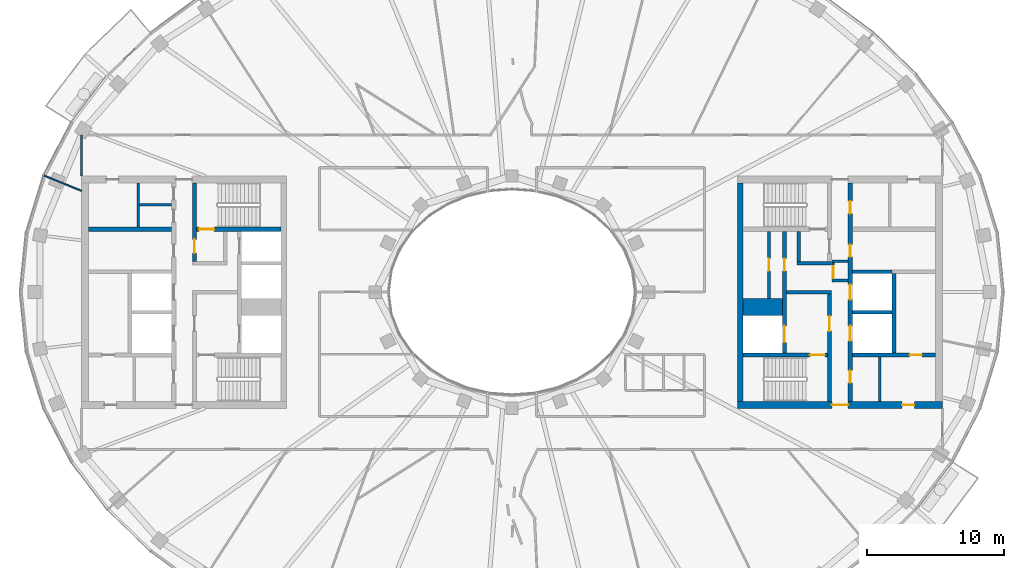
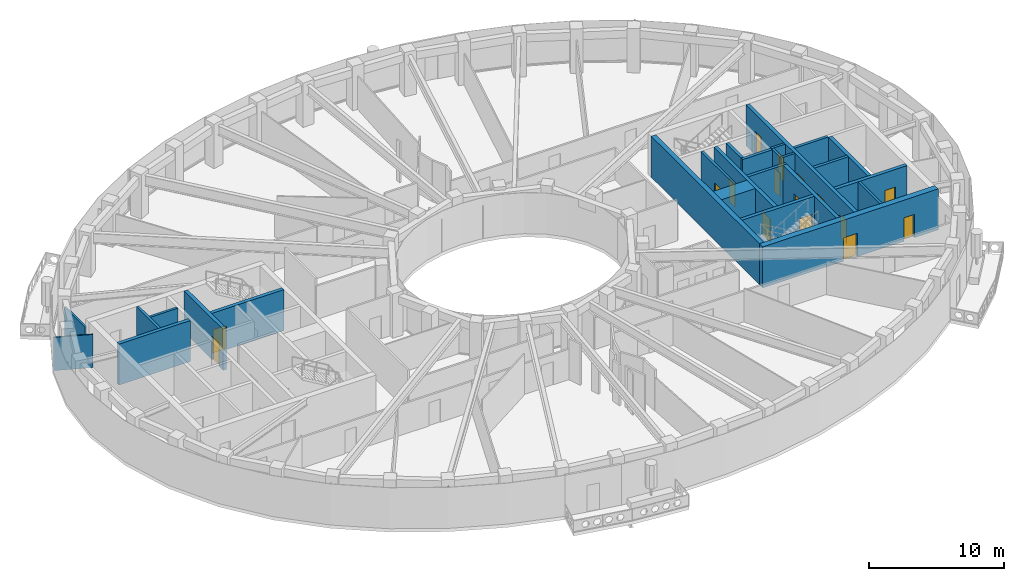
# One storey, part 5 of 16: 26 walls, 16 doors, 16 openings.
"""IFC4 building model written with IfcOpenShell, lengths in metres."""

from ifc_helpers import new_model, si_unit, direction, frame, frame_2d, origin, place, context, subcontext, project, spatial, rectangle, extrude, material, layer, layer_set, type_object, element, fill, save


model = new_model("IFC4")

# Units and contexts
model_context = context("Model", 3, precision=1e-05, world=origin(), true_north=direction((0.0, 1.0)))
body_context = subcontext(model_context, "Body", "Model", "MODEL_VIEW")
ifc_project = project(units=[si_unit("LENGTHUNIT", "METRE"), si_unit("AREAUNIT", "SQUARE_METRE"), si_unit("VOLUMEUNIT", "CUBIC_METRE"), si_unit("PLANEANGLEUNIT", "RADIAN"), si_unit("MASSUNIT", "GRAM", prefix="KILO")], contexts=[model_context])

# Site, building, storey
site_placement = place(None, origin())
site = spatial("IfcSite", under=ifc_project, at=site_placement, CompositionType="ELEMENT")
building_placement = place(site_placement, origin())
building = spatial("IfcBuilding", under=site, at=building_placement, Name="Noorbagh Ring Tower", CompositionType="ELEMENT")
storey_placement = place(building_placement, frame((0.0, 0.0, 315.0)))
storey = spatial("IfcBuildingStorey", under=building, at=storey_placement, Name="L68", CompositionType="ELEMENT", Elevation=315.0)

# Walls
ifc_material_1 = material(Name="Gypsum board on steel studs", Category="steel")
ifc_layer_1 = layer(ifc_material_1, 0.199951171875)
ifc_layer_set_1 = layer_set([ifc_layer_1], Name="Gypsum board on steel studs")
wall_type_1 = type_object("IfcWallType", Name="CORE-PARTITION-200", PredefinedType="PARTITIONING", material=ifc_layer_set_1)
wall_1_placement = place(storey_placement, frame((-27.35009765625, 4.75, 0.0), z_axis=(0.0, 0.0, 1.0), x_axis=(0.0, 1.0, 0.0)))
element("IfcWall", 1, at=wall_1_placement, inside=storey, type_object=wall_type_1, Name="Core partition W", PredefinedType="PARTITIONING", context=body_context, shape_type="SweptSolid", body=[
    extrude(rectangle(XDim=3.25, YDim=0.199951171875, at=frame_2d((1.625, 0.0))), origin(), (0.0, 0.0, 1.0), 3.699951171875),
])
wall_2_placement = place(storey_placement, frame((-24.89990234375, 6.39990234375, 0.0), z_axis=(0.0, 0.0, 1.0), x_axis=(-1.0, 0.0, 0.0)))
element("IfcWall", 2, at=wall_2_placement, inside=storey, type_object=wall_type_1, Name="Core partition W", PredefinedType="PARTITIONING", context=body_context, shape_type="SweptSolid", body=[
    extrude(rectangle(XDim=2.35009765625, YDim=0.199951171875, at=frame_2d((1.175048828125, 0.0))), origin(), (0.0, 0.0, 1.0), 3.699951171875),
])

# Wall, opening, door
wall_3_placement = place(storey_placement, frame((18.800048828125, -0.449951171875, 0.0), z_axis=(0.0, 0.0, 1.0), x_axis=(0.0, 1.0, 0.0)))
wall_3 = element("IfcWall", 3, at=wall_3_placement, inside=storey, type_object=wall_type_1, Name="Core partition E", PredefinedType="PARTITIONING", context=body_context, shape_type="SweptSolid", body=[
    extrude(rectangle(XDim=4.89990234375, YDim=0.199951171875, at=frame_2d((2.449951171875, 0.0))), origin(), (0.0, 0.0, 1.0), 3.699951171875),
])
opening_1_placement = place(wall_3_placement, frame((2.0, 0.0, 0.0)))
opening_1 = element("IfcOpeningElement", 4, at=opening_1_placement, cuts=wall_3, Name="Opening L68-CE11", PredefinedType="OPENING", context=body_context, shape_type="SweptSolid", body=[
    extrude(rectangle(XDim=0.89990234375, YDim=2.10009765625, at=frame_2d((0.449951171875, 1.050048828125))), frame((0.0, 0.10986328125, 0.0), z_axis=(0.0, -1.0, 0.0), x_axis=(1.0, 0.0, 0.0)), (0.0, 0.0, 1.0), 0.219970703125),
])
ifc_material_2 = material(Name="Steel door leaf", Category="steel")
door_type_1 = type_object("IfcDoorType", Name="CORE-DOOR-DROOM", OperationType="SINGLE_SWING_LEFT", PredefinedType="DOOR", material=ifc_material_2)
door_1_placement = place(opening_1_placement, origin())
door_1 = element("IfcDoor", 5, at=door_1_placement, inside=storey, type_object=door_type_1, Name="Core room door L68-CE11", OperationType="SINGLE_SWING_RIGHT", OverallHeight=2.10009765625, OverallWidth=0.89990234375, PredefinedType="DOOR", context=body_context, shape_type="SweptSolid", body=[
    extrude(rectangle(XDim=0.89990234375, YDim=2.10009765625, at=frame_2d((0.449951171875, 1.050048828125))), frame((0.0, 0.02490234375, 0.0), z_axis=(0.0, -1.0, 0.0), x_axis=(1.0, 0.0, 0.0)), (0.0, 0.0, 1.0), 0.050048828125),
])
fill(opening_1, door_1)

# Walls
for number, where, z_axis, x_axis, name in (
    (6, (23.39990234375, 0.85009765625, 0.0), (0.0, 0.0, 1.0), (1.0, 0.0, 0.0), "Core partition E"),
    (7, (23.39990234375, 2.25, 0.0), (0.0, 0.0, 1.0), (1.0, 0.0, 0.0), "Core partition E"),
):
    element("IfcWall", number, at=place(storey_placement, frame(where, z_axis=z_axis, x_axis=x_axis)), inside=storey, type_object=wall_type_1, Name=name, PredefinedType="PARTITIONING", context=body_context, shape_type="SweptSolid", body=[
        extrude(rectangle(XDim=1.2001953125, YDim=0.199951171875, at=frame_2d((0.60009765625, 0.0))), origin(), (0.0, 0.0, 1.0), 3.699951171875),
    ])

# Wall, opening, door
wall_4_placement = place(storey_placement, frame((23.5, 0.75, 0.0), z_axis=(0.0, 0.0, 1.0), x_axis=(0.0, 1.0, 0.0)))
wall_4 = element("IfcWall", 8, at=wall_4_placement, inside=storey, type_object=wall_type_1, Name="Core partition E", PredefinedType="PARTITIONING", context=body_context, shape_type="SweptSolid", body=[
    extrude(rectangle(XDim=1.60009765625, YDim=0.199951171875, at=frame_2d((0.800048828125, 0.0))), origin(), (0.0, 0.0, 1.0), 3.699951171875),
])
opening_2_placement = place(wall_4_placement, frame((0.25, 0.0, 0.0)))
opening_2 = element("IfcOpeningElement", 9, at=opening_2_placement, cuts=wall_4, Name="Opening L68-CE17", PredefinedType="OPENING", context=body_context, shape_type="SweptSolid", body=[
    extrude(rectangle(XDim=0.89990234375, YDim=2.10009765625, at=frame_2d((0.449951171875, 1.050048828125))), frame((0.0, 0.10986328125, 0.0), z_axis=(0.0, -1.0, 0.0), x_axis=(1.0, 0.0, 0.0)), (0.0, 0.0, 1.0), 0.219970703125),
])
door_2_placement = place(opening_2_placement, origin())
door_2 = element("IfcDoor", 10, at=door_2_placement, inside=storey, type_object=door_type_1, Name="Core room door L68-CE17", OperationType="SINGLE_SWING_LEFT", OverallHeight=2.10009765625, OverallWidth=0.89990234375, PredefinedType="DOOR", context=body_context, shape_type="SweptSolid", body=[
    extrude(rectangle(XDim=0.89990234375, YDim=2.10009765625, at=frame_2d((0.449951171875, 1.050048828125))), frame((0.0, 0.02490234375, 0.0), z_axis=(0.0, -1.0, 0.0), x_axis=(1.0, 0.0, 0.0)), (0.0, 0.0, 1.0), 0.050048828125),
])
fill(opening_2, door_2)

# Walls
wall_5_placement = place(storey_placement, frame((26.89990234375, -8.0, 0.0), z_axis=(0.0, 0.0, 1.0), x_axis=(0.0, 1.0, 0.0)))
element("IfcWall", 11, at=wall_5_placement, inside=storey, type_object=wall_type_1, Name="Core partition E", PredefinedType="PARTITIONING", context=body_context, shape_type="SweptSolid", body=[
    extrude(rectangle(XDim=3.25, YDim=0.199951171875, at=frame_2d((1.625, 0.0))), origin(), (0.0, 0.0, 1.0), 3.699951171875),
])
ifc_material_3 = material(Name="Concrete C50/60", Category="concrete")
ifc_layer_2 = layer(ifc_material_3, 1.25)
ifc_layer_set_2 = layer_set([ifc_layer_2], Name="Concrete C50/60")
wall_type_2 = type_object("IfcWallType", Name="CORE-WALL-1250-C50-60-EI120", PredefinedType="SHEAR", material=ifc_layer_set_2)
wall_6_placement = place(storey_placement, frame((16.89990234375, -1.074951171875, 0.0), z_axis=(0.0, 0.0, 1.0), x_axis=(1.0, 0.0, 0.0)))
element("IfcWall", 12, at=wall_6_placement, inside=storey, type_object=wall_type_2, Name="Core wall E", PredefinedType="SHEAR", context=body_context, shape_type="SweptSolid", body=[
    extrude(rectangle(XDim=2.900146484375, YDim=1.25, at=frame_2d((1.4501953125, 0.0))), origin(), (0.0, 0.0, 1.0), 3.699951171875),
])
ifc_material_4 = material(Name="Concrete C50/60", Category="concrete")
ifc_layer_3 = layer(ifc_material_4, 0.25)
ifc_layer_set_3 = layer_set([ifc_layer_3], Name="Concrete C50/60")
wall_type_3 = type_object("IfcWallType", Name="CORE-WALL-250-C50-60-EI120", PredefinedType="SHEAR", material=ifc_layer_set_3)
for number, where, z_axis, x_axis, name in (
    (13, (24.89990234375, -1.47509765625, 0.0), (0.0, 0.0, 1.0), (1.0, 0.0, 0.0), "Core wall E"),
    (14, (24.89990234375, 1.47509765625, 0.0), (0.0, 0.0, 1.0), (1.0, 0.0, 0.0), "Core wall E"),
):
    element("IfcWall", number, at=place(storey_placement, frame(where, z_axis=z_axis, x_axis=x_axis)), inside=storey, type_object=wall_type_3, Name=name, PredefinedType="SHEAR", context=body_context, shape_type="SweptSolid", body=[
        extrude(rectangle(XDim=2.900146484375, YDim=0.25, at=frame_2d((1.4501953125, 0.0))), origin(), (0.0, 0.0, 1.0), 3.699951171875),
    ])
ifc_material_5 = material(Name="Concrete C50/60", Category="concrete")
ifc_layer_4 = layer(ifc_material_5, 0.25)
ifc_layer_set_4 = layer_set([ifc_layer_4], Name="Concrete C50/60")
wall_type_4 = type_object("IfcWallType", Name="CORE-WALL-250-C50-60-EI240", PredefinedType="SHEAR", material=ifc_layer_set_4)
wall_7_placement = place(storey_placement, frame((20.10009765625, 0.0, 0.0), z_axis=(0.0, 0.0, 1.0), x_axis=(1.0, 0.0, 0.0)))
element("IfcWall", 15, at=wall_7_placement, inside=storey, type_object=wall_type_4, Name="Core wall E", PredefinedType="SHEAR", context=body_context, shape_type="SweptSolid", body=[
    extrude(rectangle(XDim=3.27978515625, YDim=0.25, at=frame_2d((1.639892578125, 0.0))), origin(), (0.0, 0.0, 1.0), 3.699951171875),
])
wall_8_placement = place(storey_placement, frame((20.85009765625, 2.125, 0.0), z_axis=(0.0, 0.0, 1.0), x_axis=(1.0, 0.0, 0.0)))
element("IfcWall", 16, at=wall_8_placement, inside=storey, type_object=wall_type_4, Name="Core wall E", PredefinedType="SHEAR", context=body_context, shape_type="SweptSolid", body=[
    extrude(rectangle(XDim=2.52978515625, YDim=0.25, at=frame_2d((1.264892578125, 0.0))), origin(), (0.0, 0.0, 1.0), 3.699951171875),
])
wall_9_placement = place(storey_placement, frame((20.97509765625, 2.25, 0.0), z_axis=(0.0, 0.0, 1.0), x_axis=(0.0, 1.0, 0.0)))
element("IfcWall", 17, at=wall_9_placement, inside=storey, type_object=wall_type_4, Name="Core wall E", PredefinedType="SHEAR", context=body_context, shape_type="SweptSolid", body=[
    extrude(rectangle(XDim=2.199951171875, YDim=0.25, at=frame_2d((1.10009765625, 0.0))), origin(), (0.0, 0.0, 1.0), 3.699951171875),
])
ifc_material_6 = material(Name="Concrete C50/60", Category="concrete")
ifc_layer_5 = layer(ifc_material_6, 0.300048828125)
ifc_layer_set_5 = layer_set([ifc_layer_5], Name="Concrete C50/60")
wall_type_5 = type_object("IfcWallType", Name="CORE-WALL-300-C50-60-EI120", PredefinedType="SHEAR", material=ifc_layer_set_5)
wall_10_placement = place(storey_placement, frame((27.949951171875, -4.449951171875, 0.0), z_axis=(0.0, 0.0, 1.0), x_axis=(0.0, 1.0, 0.0)))
element("IfcWall", 18, at=wall_10_placement, inside=storey, type_object=wall_type_5, Name="Core wall E", PredefinedType="SHEAR", context=body_context, shape_type="SweptSolid", body=[
    extrude(rectangle(XDim=5.800048828125, YDim=0.300048828125, at=frame_2d((2.89990234375, 0.0))), origin(), (0.0, 0.0, 1.0), 3.699951171875),
])

# Wall, openings, doors
wall_11_placement = place(storey_placement, frame((19.949951171875, -4.449951171875, 0.0), z_axis=(0.0, 0.0, 1.0), x_axis=(0.0, 1.0, 0.0)))
wall_11 = element("IfcWall", 19, at=wall_11_placement, inside=storey, type_object=wall_type_5, Name="Core wall E", PredefinedType="SHEAR", context=body_context, shape_type="SweptSolid", body=[
    extrude(rectangle(XDim=8.89990234375, YDim=0.300048828125, at=frame_2d((4.449951171875, 0.0))), origin(), (0.0, 0.0, 1.0), 3.699951171875),
])
opening_3_placement = place(wall_11_placement, frame((0.77490234375, 0.0, 0.0)))
opening_3 = element("IfcOpeningElement", 20, at=opening_3_placement, cuts=wall_11, Name="Opening L68-CE01", PredefinedType="OPENING", context=body_context, shape_type="SweptSolid", body=[
    extrude(rectangle(XDim=1.199951171875, YDim=2.10009765625, at=frame_2d((0.60009765625, 1.050048828125))), frame((0.0, 0.16015625, 0.0), z_axis=(0.0, -1.0, 0.0), x_axis=(1.0, 0.0, 0.0)), (0.0, 0.0, 1.0), 0.320068359375),
])
opening_4_placement = place(wall_11_placement, frame((6.0, 0.0, 0.0)))
opening_4 = element("IfcOpeningElement", 21, at=opening_4_placement, cuts=wall_11, Name="Opening L68-CE10", PredefinedType="OPENING", context=body_context, shape_type="SweptSolid", body=[
    extrude(rectangle(XDim=0.89990234375, YDim=2.10009765625, at=frame_2d((0.449951171875, 1.050048828125))), frame((0.0, 0.16015625, 0.0), z_axis=(0.0, -1.0, 0.0), x_axis=(1.0, 0.0, 0.0)), (0.0, 0.0, 1.0), 0.320068359375),
])
door_3_placement = place(opening_4_placement, origin())
door_3 = element("IfcDoor", 22, at=door_3_placement, inside=storey, type_object=door_type_1, Name="Core room door L68-CE10", OperationType="SINGLE_SWING_RIGHT", OverallHeight=2.10009765625, OverallWidth=0.89990234375, PredefinedType="DOOR", context=body_context, shape_type="SweptSolid", body=[
    extrude(rectangle(XDim=0.89990234375, YDim=2.10009765625, at=frame_2d((0.449951171875, 1.050048828125))), frame((0.0, 0.02490234375, 0.0), z_axis=(0.0, -1.0, 0.0), x_axis=(1.0, 0.0, 0.0)), (0.0, 0.0, 1.0), 0.050048828125),
])
fill(opening_4, door_3)
ifc_material_7 = material(Name="Steel door leaf", Category="steel")
door_type_2 = type_object("IfcDoorType", Name="CORE-DOOR-LDW", OperationType="DOUBLE_DOOR_SLIDING", PredefinedType="DOOR", material=ifc_material_7)
door_4_placement = place(opening_3_placement, origin())
door_4 = element("IfcDoor", 23, at=door_4_placement, inside=storey, type_object=door_type_2, Name="Landing door FF2 L68-CE01", OperationType="DOUBLE_DOOR_SLIDING", OverallHeight=2.10009765625, OverallWidth=1.199951171875, PredefinedType="DOOR", context=body_context, shape_type="SweptSolid", body=[
    extrude(rectangle(XDim=1.199951171875, YDim=2.10009765625, at=frame_2d((0.60009765625, 1.050048828125))), frame((0.0, 0.02490234375, 0.0), z_axis=(0.0, -1.0, 0.0), x_axis=(1.0, 0.0, 0.0)), (0.0, 0.0, 1.0), 0.050048828125),
])
fill(opening_3, door_4)

wall_12_placement = place(storey_placement, frame((24.75, -8.0, 0.0), z_axis=(0.0, 0.0, 1.0), x_axis=(0.0, 1.0, 0.0)))
wall_12 = element("IfcWall", 24, at=wall_12_placement, inside=storey, type_object=wall_type_5, Name="Core wall E", PredefinedType="SHEAR", context=body_context, shape_type="SweptSolid", body=[
    extrude(rectangle(XDim=16.0, YDim=0.300048828125, at=frame_2d((8.0, 0.0))), origin(), (0.0, 0.0, 1.0), 3.699951171875),
])
opening_5_placement = place(wall_12_placement, frame((4.425048828125, 0.0, 0.0)))
opening_5 = element("IfcOpeningElement", 25, at=opening_5_placement, cuts=wall_12, Name="Opening L68-CE02", PredefinedType="OPENING", context=body_context, shape_type="SweptSolid", body=[
    extrude(rectangle(XDim=1.10009765625, YDim=2.10009765625, at=frame_2d((0.550048828125, 1.050048828125))), frame((0.0, 0.16015625, 0.0), z_axis=(0.0, -1.0, 0.0), x_axis=(1.0, 0.0, 0.0)), (0.0, 0.0, 1.0), 0.320068359375),
])
opening_6_placement = place(wall_12_placement, frame((7.449951171875, 0.0, 0.0)))
opening_6 = element("IfcOpeningElement", 26, at=opening_6_placement, cuts=wall_12, Name="Opening L68-CE03", PredefinedType="OPENING", context=body_context, shape_type="SweptSolid", body=[
    extrude(rectangle(XDim=1.10009765625, YDim=2.10009765625, at=frame_2d((0.550048828125, 1.050048828125))), frame((0.0, 0.16015625, 0.0), z_axis=(0.0, -1.0, 0.0), x_axis=(1.0, 0.0, 0.0)), (0.0, 0.0, 1.0), 0.320068359375),
])
opening_7_placement = place(wall_12_placement, frame((10.574951171875, 0.0, 0.0)))
opening_7 = element("IfcOpeningElement", 27, at=opening_7_placement, cuts=wall_12, Name="Opening L68-CE12", PredefinedType="OPENING", context=body_context, shape_type="SweptSolid", body=[
    extrude(rectangle(XDim=0.89990234375, YDim=2.10009765625, at=frame_2d((0.449951171875, 1.050048828125))), frame((0.0, 0.16015625, 0.0), z_axis=(0.0, -1.0, 0.0), x_axis=(1.0, 0.0, 0.0)), (0.0, 0.0, 1.0), 0.320068359375),
])
opening_8_placement = place(wall_12_placement, frame((13.75, 0.0, 0.0)))
opening_8 = element("IfcOpeningElement", 28, at=opening_8_placement, cuts=wall_12, Name="Opening L68-CE13", PredefinedType="OPENING", context=body_context, shape_type="SweptSolid", body=[
    extrude(rectangle(XDim=0.89990234375, YDim=2.10009765625, at=frame_2d((0.449951171875, 1.050048828125))), frame((0.0, 0.16015625, 0.0), z_axis=(0.0, -1.0, 0.0), x_axis=(1.0, 0.0, 0.0)), (0.0, 0.0, 1.0), 0.320068359375),
])
opening_9_placement = place(wall_12_placement, frame((1.35009765625, 0.0, 0.0)))
opening_9 = element("IfcOpeningElement", 29, at=opening_9_placement, cuts=wall_12, Name="Opening L68-CE15", PredefinedType="OPENING", context=body_context, shape_type="SweptSolid", body=[
    extrude(rectangle(XDim=0.89990234375, YDim=2.10009765625, at=frame_2d((0.449951171875, 1.050048828125))), frame((0.0, 0.16015625, 0.0), z_axis=(0.0, -1.0, 0.0), x_axis=(1.0, 0.0, 0.0)), (0.0, 0.0, 1.0), 0.320068359375),
])
door_5_placement = place(opening_7_placement, origin())
door_5 = element("IfcDoor", 30, at=door_5_placement, inside=storey, type_object=door_type_1, Name="Core room door L68-CE12", OperationType="SINGLE_SWING_LEFT", OverallHeight=2.10009765625, OverallWidth=0.89990234375, PredefinedType="DOOR", context=body_context, shape_type="SweptSolid", body=[
    extrude(rectangle(XDim=0.89990234375, YDim=2.10009765625, at=frame_2d((0.449951171875, 1.050048828125))), frame((0.0, 0.02490234375, 0.0), z_axis=(0.0, -1.0, 0.0), x_axis=(1.0, 0.0, 0.0)), (0.0, 0.0, 1.0), 0.050048828125),
])
fill(opening_7, door_5)
door_6_placement = place(opening_8_placement, origin())
door_6 = element("IfcDoor", 31, at=door_6_placement, inside=storey, type_object=door_type_1, Name="Core room door L68-CE13", OperationType="SINGLE_SWING_LEFT", OverallHeight=2.10009765625, OverallWidth=0.89990234375, PredefinedType="DOOR", context=body_context, shape_type="SweptSolid", body=[
    extrude(rectangle(XDim=0.89990234375, YDim=2.10009765625, at=frame_2d((0.449951171875, 1.050048828125))), frame((0.0, 0.02490234375, 0.0), z_axis=(0.0, -1.0, 0.0), x_axis=(1.0, 0.0, 0.0)), (0.0, 0.0, 1.0), 0.050048828125),
])
fill(opening_8, door_6)
door_7_placement = place(opening_9_placement, origin())
door_7 = element("IfcDoor", 32, at=door_7_placement, inside=storey, type_object=door_type_1, Name="Core room door L68-CE15", OperationType="SINGLE_SWING_RIGHT", OverallHeight=2.10009765625, OverallWidth=0.89990234375, PredefinedType="DOOR", context=body_context, shape_type="SweptSolid", body=[
    extrude(rectangle(XDim=0.89990234375, YDim=2.10009765625, at=frame_2d((0.449951171875, 1.050048828125))), frame((0.0, 0.02490234375, 0.0), z_axis=(0.0, -1.0, 0.0), x_axis=(1.0, 0.0, 0.0)), (0.0, 0.0, 1.0), 0.050048828125),
])
fill(opening_9, door_7)
ifc_material_8 = material(Name="Steel door leaf", Category="steel")
door_type_3 = type_object("IfcDoorType", Name="CORE-DOOR-LD", OperationType="DOUBLE_DOOR_SLIDING", PredefinedType="DOOR", material=ifc_material_8)
door_8_placement = place(opening_5_placement, origin())
door_8 = element("IfcDoor", 33, at=door_8_placement, inside=storey, type_object=door_type_3, Name="Landing door HR12 L68-CE02", OperationType="DOUBLE_DOOR_SLIDING", OverallHeight=2.10009765625, OverallWidth=1.10009765625, PredefinedType="DOOR", context=body_context, shape_type="SweptSolid", body=[
    extrude(rectangle(XDim=1.10009765625, YDim=2.10009765625, at=frame_2d((0.550048828125, 1.050048828125))), frame((0.0, 0.02490234375, 0.0), z_axis=(0.0, -1.0, 0.0), x_axis=(1.0, 0.0, 0.0)), (0.0, 0.0, 1.0), 0.050048828125),
])
fill(opening_5, door_8)
door_9_placement = place(opening_6_placement, origin())
door_9 = element("IfcDoor", 34, at=door_9_placement, inside=storey, type_object=door_type_3, Name="Landing door HR13 L68-CE03", OperationType="DOUBLE_DOOR_SLIDING", OverallHeight=2.10009765625, OverallWidth=1.10009765625, PredefinedType="DOOR", context=body_context, shape_type="SweptSolid", body=[
    extrude(rectangle(XDim=1.10009765625, YDim=2.10009765625, at=frame_2d((0.550048828125, 1.050048828125))), frame((0.0, 0.02490234375, 0.0), z_axis=(0.0, -1.0, 0.0), x_axis=(1.0, 0.0, 0.0)), (0.0, 0.0, 1.0), 0.050048828125),
])
fill(opening_6, door_9)

# Wall
ifc_material_9 = material(Name="Concrete C50/60", Category="concrete")
ifc_layer_6 = layer(ifc_material_9, 0.300048828125)
ifc_layer_set_6 = layer_set([ifc_layer_6], Name="Concrete C50/60")
wall_type_6 = type_object("IfcWallType", Name="CORE-WALL-300-C50-60-EI240", PredefinedType="SHEAR", material=ifc_layer_set_6)
wall_13_placement = place(storey_placement, frame((-24.89990234375, 4.60009765625, 0.0), z_axis=(0.0, 0.0, 1.0), x_axis=(-1.0, 0.0, 0.0)))
element("IfcWall", 35, at=wall_13_placement, inside=storey, type_object=wall_type_6, Name="Core wall W", PredefinedType="SHEAR", context=body_context, shape_type="SweptSolid", body=[
    extrude(rectangle(XDim=6.10009765625, YDim=0.300048828125, at=frame_2d((3.050048828125, 0.0))), origin(), (0.0, 0.0, 1.0), 3.699951171875),
])

# Wall, opening, door
wall_14_placement = place(storey_placement, frame((-23.22998046875, 2.25, 0.0), z_axis=(0.0, 0.0, 1.0), x_axis=(0.0, 1.0, 0.0)))
wall_14 = element("IfcWall", 36, at=wall_14_placement, inside=storey, type_object=wall_type_6, Name="Core wall W", PredefinedType="SHEAR", context=body_context, shape_type="SweptSolid", body=[
    extrude(rectangle(XDim=5.75, YDim=0.300048828125, at=frame_2d((2.875, 0.0))), origin(), (0.0, 0.0, 1.0), 3.699951171875),
])
opening_10_placement = place(wall_14_placement, frame((0.60009765625, 0.0, 0.0)))
opening_10 = element("IfcOpeningElement", 37, at=opening_10_placement, cuts=wall_14, Name="Opening L68-CW08", PredefinedType="OPENING", context=body_context, shape_type="SweptSolid", body=[
    extrude(rectangle(XDim=1.0, YDim=2.10009765625, at=frame_2d((0.5, 1.050048828125))), frame((0.0, 0.16015625, 0.0), z_axis=(0.0, -1.0, 0.0), x_axis=(1.0, 0.0, 0.0)), (0.0, 0.0, 1.0), 0.320068359375),
])
ifc_material_10 = material(Name="Steel door leaf", Category="steel")
door_type_4 = type_object("IfcDoorType", Name="CORE-DOOR-DVEST", OperationType="SINGLE_SWING_LEFT", PredefinedType="DOOR", material=ifc_material_10)
door_10_placement = place(opening_10_placement, origin())
door_10 = element("IfcDoor", 38, at=door_10_placement, inside=storey, type_object=door_type_4, Name="Stair vestibule door L68-CW08", OperationType="SINGLE_SWING_LEFT", OverallHeight=2.10009765625, OverallWidth=1.0, PredefinedType="DOOR", context=body_context, shape_type="SweptSolid", body=[
    extrude(rectangle(XDim=1.0, YDim=2.10009765625, at=frame_2d((0.5, 1.050048828125))), frame((0.0, 0.02490234375, 0.0), z_axis=(0.0, -1.0, 0.0), x_axis=(1.0, 0.0, 0.0)), (0.0, 0.0, 1.0), 0.050048828125),
])
fill(opening_10, door_10)

wall_15_placement = place(storey_placement, frame((-16.89990234375, 4.60009765625, 0.0), z_axis=(0.0, 0.0, 1.0), x_axis=(-1.0, 0.0, 0.0)))
wall_15 = element("IfcWall", 39, at=wall_15_placement, inside=storey, type_object=wall_type_6, Name="Core wall W", PredefinedType="SHEAR", context=body_context, shape_type="SweptSolid", body=[
    extrude(rectangle(XDim=6.18017578125, YDim=0.300048828125, at=frame_2d((3.090087890625, 0.0))), origin(), (0.0, 0.0, 1.0), 3.699951171875),
])
opening_11_placement = place(wall_15_placement, frame((4.89990234375, 0.0, 0.0)))
opening_11 = element("IfcOpeningElement", 40, at=opening_11_placement, cuts=wall_15, Name="Opening L68-CW05", PredefinedType="OPENING", context=body_context, shape_type="SweptSolid", body=[
    extrude(rectangle(XDim=1.10009765625, YDim=2.10009765625, at=frame_2d((0.550048828125, 1.050048828125))), frame((0.0, 0.16015625, 0.0), z_axis=(0.0, -1.0, 0.0), x_axis=(1.0, 0.0, 0.0)), (0.0, 0.0, 1.0), 0.320068359375),
])
ifc_material_11 = material(Name="Steel door leaf", Category="steel")
door_type_5 = type_object("IfcDoorType", Name="CORE-DOOR-DSTAIR", OperationType="SINGLE_SWING_LEFT", PredefinedType="DOOR", material=ifc_material_11)
door_11_placement = place(opening_11_placement, origin())
door_11 = element("IfcDoor", 41, at=door_11_placement, inside=storey, type_object=door_type_5, Name="Stair door ST1 L68-CW05", OperationType="SINGLE_SWING_RIGHT", OverallHeight=2.10009765625, OverallWidth=1.10009765625, PredefinedType="DOOR", context=body_context, shape_type="SweptSolid", body=[
    extrude(rectangle(XDim=1.10009765625, YDim=2.10009765625, at=frame_2d((0.550048828125, 1.050048828125))), frame((0.0, 0.02490234375, 0.0), z_axis=(0.0, -1.0, 0.0), x_axis=(1.0, 0.0, 0.0)), (0.0, 0.0, 1.0), 0.050048828125),
])
fill(opening_11, door_11)

wall_16_placement = place(storey_placement, frame((24.89990234375, -4.60009765625, 0.0), z_axis=(0.0, 0.0, 1.0), x_axis=(1.0, 0.0, 0.0)))
wall_16 = element("IfcWall", 42, at=wall_16_placement, inside=storey, type_object=wall_type_6, Name="Core wall E", PredefinedType="SHEAR", context=body_context, shape_type="SweptSolid", body=[
    extrude(rectangle(XDim=6.10009765625, YDim=0.300048828125, at=frame_2d((3.050048828125, 0.0))), origin(), (0.0, 0.0, 1.0), 3.699951171875),
])
opening_12_placement = place(wall_16_placement, frame((4.199951171875, 0.0, 0.0)))
opening_12 = element("IfcOpeningElement", 43, at=opening_12_placement, cuts=wall_16, Name="Opening L68-CE18", PredefinedType="OPENING", context=body_context, shape_type="SweptSolid", body=[
    extrude(rectangle(XDim=0.89990234375, YDim=2.10009765625, at=frame_2d((0.449951171875, 1.050048828125))), frame((0.0, 0.16015625, 0.0), z_axis=(0.0, -1.0, 0.0), x_axis=(1.0, 0.0, 0.0)), (0.0, 0.0, 1.0), 0.320068359375),
])
door_12_placement = place(opening_12_placement, origin())
door_12 = element("IfcDoor", 44, at=door_12_placement, inside=storey, type_object=door_type_1, Name="Core room door L68-CE18", OperationType="SINGLE_SWING_LEFT", OverallHeight=2.10009765625, OverallWidth=0.89990234375, PredefinedType="DOOR", context=body_context, shape_type="SweptSolid", body=[
    extrude(rectangle(XDim=0.89990234375, YDim=2.10009765625, at=frame_2d((0.449951171875, 1.050048828125))), frame((0.0, 0.02490234375, 0.0), z_axis=(0.0, -1.0, 0.0), x_axis=(1.0, 0.0, 0.0)), (0.0, 0.0, 1.0), 0.050048828125),
])
fill(opening_12, door_12)

wall_17_placement = place(storey_placement, frame((23.22998046875, -8.0, 0.0), z_axis=(0.0, 0.0, 1.0), x_axis=(0.0, 1.0, 0.0)))
wall_17 = element("IfcWall", 45, at=wall_17_placement, inside=storey, type_object=wall_type_6, Name="Core wall E", PredefinedType="SHEAR", context=body_context, shape_type="SweptSolid", body=[
    extrude(rectangle(XDim=7.875, YDim=0.300048828125, at=frame_2d((3.9375, 0.0))), origin(), (0.0, 0.0, 1.0), 3.699951171875),
])
opening_13_placement = place(wall_17_placement, frame((5.14990234375, 0.0, 0.0)))
opening_13 = element("IfcOpeningElement", 46, at=opening_13_placement, cuts=wall_17, Name="Opening L68-CE06", PredefinedType="OPENING", context=body_context, shape_type="SweptSolid", body=[
    extrude(rectangle(XDim=1.10009765625, YDim=2.10009765625, at=frame_2d((0.550048828125, 1.050048828125))), frame((0.0, 0.16015625, 0.0), z_axis=(0.0, -1.0, 0.0), x_axis=(1.0, 0.0, 0.0)), (0.0, 0.0, 1.0), 0.320068359375),
])
ifc_material_12 = material(Name="Steel door leaf", Category="steel")
door_type_6 = type_object("IfcDoorType", Name="CORE-DOOR-DFF", OperationType="SINGLE_SWING_LEFT", PredefinedType="DOOR", material=ifc_material_12)
door_13_placement = place(opening_13_placement, origin())
door_13 = element("IfcDoor", 47, at=door_13_placement, inside=storey, type_object=door_type_6, Name="Firefighting lobby door L68-CE06", OperationType="SINGLE_SWING_RIGHT", OverallHeight=2.10009765625, OverallWidth=1.10009765625, PredefinedType="DOOR", context=body_context, shape_type="SweptSolid", body=[
    extrude(rectangle(XDim=1.10009765625, YDim=2.10009765625, at=frame_2d((0.550048828125, 1.050048828125))), frame((0.0, 0.02490234375, 0.0), z_axis=(0.0, -1.0, 0.0), x_axis=(1.0, 0.0, 0.0)), (0.0, 0.0, 1.0), 0.050048828125),
])
fill(opening_13, door_13)

wall_18_placement = place(storey_placement, frame((16.89990234375, -4.60009765625, 0.0), z_axis=(0.0, 0.0, 1.0), x_axis=(1.0, 0.0, 0.0)))
wall_18 = element("IfcWall", 48, at=wall_18_placement, inside=storey, type_object=wall_type_6, Name="Core wall E", PredefinedType="SHEAR", context=body_context, shape_type="SweptSolid", body=[
    extrude(rectangle(XDim=6.18017578125, YDim=0.300048828125, at=frame_2d((3.090087890625, 0.0))), origin(), (0.0, 0.0, 1.0), 3.699951171875),
])
opening_14_placement = place(wall_18_placement, frame((4.89990234375, 0.0, 0.0)))
opening_14 = element("IfcOpeningElement", 49, at=opening_14_placement, cuts=wall_18, Name="Opening L68-CE05", PredefinedType="OPENING", context=body_context, shape_type="SweptSolid", body=[
    extrude(rectangle(XDim=1.10009765625, YDim=2.10009765625, at=frame_2d((0.550048828125, 1.050048828125))), frame((0.0, 0.16015625, 0.0), z_axis=(0.0, -1.0, 0.0), x_axis=(1.0, 0.0, 0.0)), (0.0, 0.0, 1.0), 0.320068359375),
])
door_14_placement = place(opening_14_placement, origin())
door_14 = element("IfcDoor", 50, at=door_14_placement, inside=storey, type_object=door_type_5, Name="Stair door ST4 L68-CE05", OperationType="SINGLE_SWING_RIGHT", OverallHeight=2.10009765625, OverallWidth=1.10009765625, PredefinedType="DOOR", context=body_context, shape_type="SweptSolid", body=[
    extrude(rectangle(XDim=1.10009765625, YDim=2.10009765625, at=frame_2d((0.550048828125, 1.050048828125))), frame((0.0, 0.02490234375, 0.0), z_axis=(0.0, -1.0, 0.0), x_axis=(1.0, 0.0, 0.0)), (0.0, 0.0, 1.0), 0.050048828125),
])
fill(opening_14, door_14)

# Wall
ifc_material_13 = material(Name="Concrete C50/60", Category="concrete")
ifc_layer_7 = layer(ifc_material_13, 0.39990234375)
ifc_layer_set_7 = layer_set([ifc_layer_7], Name="Concrete C50/60")
wall_type_7 = type_object("IfcWallType", Name="CORE-WALL-400-C50-60-EI240", PredefinedType="SHEAR", material=ifc_layer_set_7)
wall_19_placement = place(storey_placement, frame((16.699951171875, -8.0, 0.0), z_axis=(0.0, 0.0, 1.0), x_axis=(0.0, 1.0, 0.0)))
element("IfcWall", 51, at=wall_19_placement, inside=storey, type_object=wall_type_7, Name="Core wall E", PredefinedType="SHEAR", context=body_context, shape_type="SweptSolid", body=[
    extrude(rectangle(XDim=16.0, YDim=0.39990234375, at=frame_2d((8.0, 0.0))), origin(), (0.0, 0.0, 1.0), 3.699951171875),
])

# Wall, openings, doors
ifc_material_14 = material(Name="Concrete C50/60", Category="concrete")
ifc_layer_8 = layer(ifc_material_14, 0.5)
ifc_layer_set_8 = layer_set([ifc_layer_8], Name="Concrete C50/60")
wall_type_8 = type_object("IfcWallType", Name="CORE-WALL-500-C50-60-EI240", PredefinedType="SHEAR", material=ifc_layer_set_8)
wall_20_placement = place(storey_placement, frame((16.5, -8.25, 0.0), z_axis=(0.0, 0.0, 1.0), x_axis=(1.0, 0.0, 0.0)))
wall_20 = element("IfcWall", 52, at=wall_20_placement, inside=storey, type_object=wall_type_8, Name="Core wall E", PredefinedType="SHEAR", context=body_context, shape_type="SweptSolid", body=[
    extrude(rectangle(XDim=15.0, YDim=0.5, at=frame_2d((7.5, 0.0))), origin(), (0.0, 0.0, 1.0), 3.699951171875),
])
opening_15_placement = place(wall_20_placement, frame((6.89990234375, 0.0, 0.0)))
opening_15 = element("IfcOpeningElement", 53, at=opening_15_placement, cuts=wall_20, Name="Opening L68-CE09", PredefinedType="OPENING", context=body_context, shape_type="SweptSolid", body=[
    extrude(rectangle(XDim=1.199951171875, YDim=2.10009765625, at=frame_2d((0.60009765625, 1.050048828125))), frame((0.0, 0.260009765625, 0.0), z_axis=(0.0, -1.0, 0.0), x_axis=(1.0, 0.0, 0.0)), (0.0, 0.0, 1.0), 0.52001953125),
])
opening_16_placement = place(wall_20_placement, frame((12.050048828125, 0.0, 0.0)))
opening_16 = element("IfcOpeningElement", 54, at=opening_16_placement, cuts=wall_20, Name="Opening L68-CE16", PredefinedType="OPENING", context=body_context, shape_type="SweptSolid", body=[
    extrude(rectangle(XDim=0.89990234375, YDim=2.10009765625, at=frame_2d((0.449951171875, 1.050048828125))), frame((0.0, 0.260009765625, 0.0), z_axis=(0.0, -1.0, 0.0), x_axis=(1.0, 0.0, 0.0)), (0.0, 0.0, 1.0), 0.52001953125),
])
door_15_placement = place(opening_16_placement, origin())
door_15 = element("IfcDoor", 55, at=door_15_placement, inside=storey, type_object=door_type_1, Name="Core room door L68-CE16", OperationType="SINGLE_SWING_RIGHT", OverallHeight=2.10009765625, OverallWidth=0.89990234375, PredefinedType="DOOR", context=body_context, shape_type="SweptSolid", body=[
    extrude(rectangle(XDim=0.89990234375, YDim=2.10009765625, at=frame_2d((0.449951171875, 1.050048828125))), frame((0.0, 0.02490234375, 0.0), z_axis=(0.0, -1.0, 0.0), x_axis=(1.0, 0.0, 0.0)), (0.0, 0.0, 1.0), 0.050048828125),
])
fill(opening_16, door_15)
ifc_material_15 = material(Name="Steel door leaf", Category="steel")
door_type_7 = type_object("IfcDoorType", Name="CORE-DOOR-PORT", OperationType="DOUBLE_DOOR_DOUBLE_SWING", PredefinedType="DOOR", material=ifc_material_15)
door_16_placement = place(opening_15_placement, origin())
door_16 = element("IfcDoor", 56, at=door_16_placement, inside=storey, type_object=door_type_7, Name="Core entrance door L68-CE09", OperationType="DOUBLE_DOOR_DOUBLE_SWING", OverallHeight=2.10009765625, OverallWidth=1.199951171875, PredefinedType="DOOR", context=body_context, shape_type="SweptSolid", body=[
    extrude(rectangle(XDim=1.199951171875, YDim=2.10009765625, at=frame_2d((0.60009765625, 1.050048828125))), frame((0.0, 0.02490234375, 0.0), z_axis=(0.0, -1.0, 0.0), x_axis=(1.0, 0.0, 0.0)), (0.0, 0.0, 1.0), 0.050048828125),
])
fill(opening_15, door_16)

# Walls
ifc_material_16 = material(Name="Gypsum board on steel studs", Category="steel")
ifc_layer_9 = layer(ifc_material_16, 0.14990234375)
ifc_layer_set_9 = layer_set([ifc_layer_9], Name="Gypsum board on steel studs")
wall_type_9 = type_object("IfcWallType", Name="CORRIDOR PARTITION 150 EI 30", PredefinedType="PARTITIONING", material=ifc_layer_set_9)
wall_21_placement = place(storey_placement, frame((-31.5, 8.5, 0.0), z_axis=(0.0, 0.0, 1.0), x_axis=(0.0, 1.0, 0.0)))
element("IfcWall", 57, at=wall_21_placement, inside=storey, type_object=wall_type_9, Name="L68/wall/P04", PredefinedType="PARTITIONING", context=body_context, shape_type="SweptSolid", body=[
    extrude(rectangle(XDim=3.0, YDim=0.14990234375, at=frame_2d((1.5, 0.0))), origin(), (0.0, 0.0, 1.0), 3.0),
])
ifc_material_17 = material(Name="Gypsum board on steel studs", Category="steel")
ifc_layer_10 = layer(ifc_material_17, 0.10009765625)
ifc_layer_set_10 = layer_set([ifc_layer_10], Name="Gypsum board on steel studs")
wall_type_10 = type_object("IfcWallType", Name="PARTITION 100 GYPSUM", PredefinedType="PARTITIONING", material=ifc_layer_set_10)
wall_22_placement = place(storey_placement, frame((-34.23388671875, 8.530029296875, 0.0), z_axis=(0.0, 0.0, 1.0), x_axis=(0.925344112436, -0.379128307542, 0.0)))
element("IfcWall", 58, at=wall_22_placement, inside=storey, type_object=wall_type_10, Name="L68/wall/P01", PredefinedType="PARTITIONING", context=body_context, shape_type="SweptSolid", body=[
    extrude(rectangle(XDim=2.954345703125, YDim=0.10009765625, at=frame_2d((1.47705078125, 0.0))), origin(), (0.0, 0.0, 1.0), 3.0),
])

save(model, "model.ifc")
